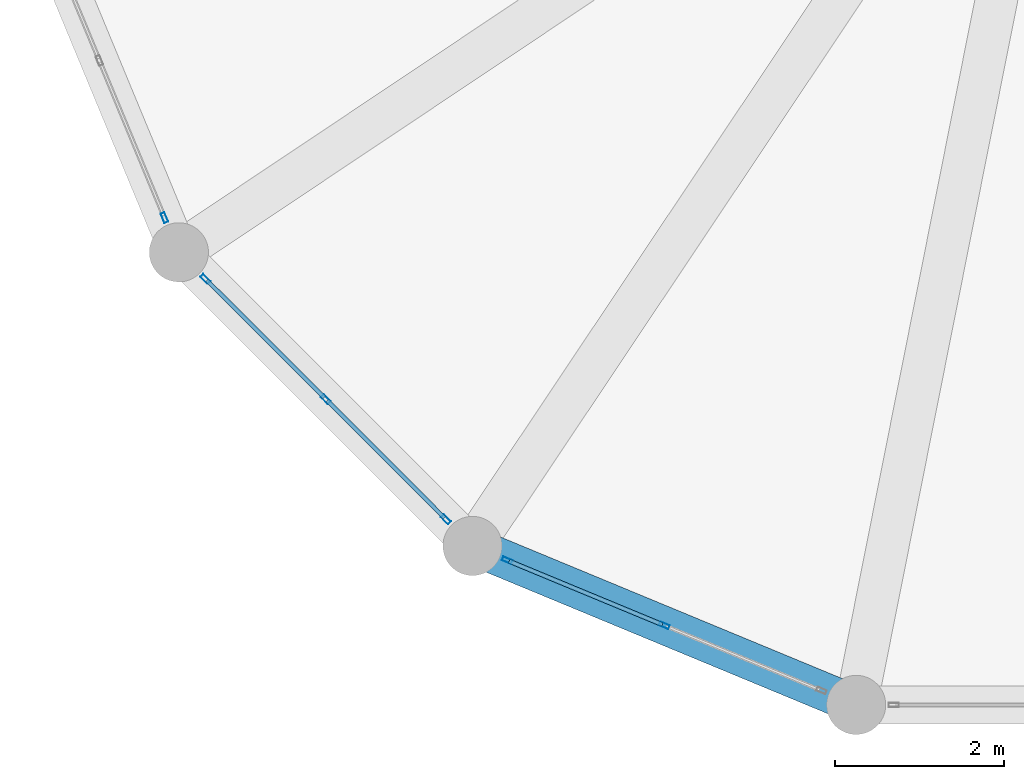
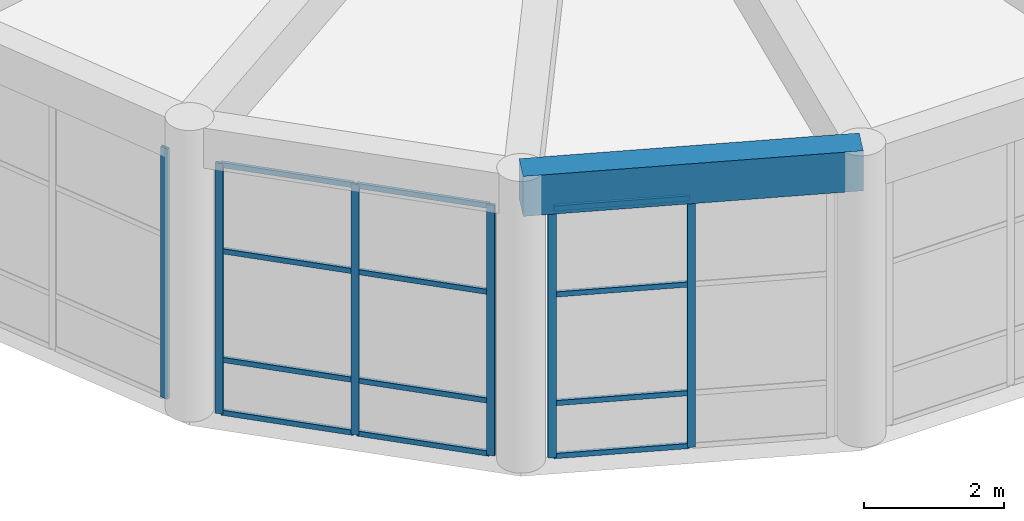
# One storey, part 3 of 96: 18 members, 1 beam, 3 elements without a shape of their own.
"""IFC4 building model written with IfcOpenShell, lengths in metres."""

import ifcopenshell
import ifcopenshell.guid

model = None  # the IFC model being written
_history = None  # IfcOwnerHistory: only IFC2X3 demands one
_inside = {}  # id of a spatial element -> (the spatial element, [elements in it])
_under = {}  # id of a project, library or spatial element -> (it, [spatial elements below it])
_declared = {}  # id of a project -> (the project, [libraries it declares])
_typed = {}  # id of a type object -> (the type object, [elements of that type])
_made_of = {}  # id of a material, layer set ... -> (it, [elements and type objects made of it])


def new_model(schema):
    """Start an empty IFC model of exactly this schema.

    Asked for "IFC4X3", IfcOpenShell would pick the latest addendum, in which some entities
    have other attributes; the version numbers below select the first issue.
    IFC2X3 requires an IfcOwnerHistory on every rooted entity: one is made here for all.
    """
    global model, _history
    if schema == "IFC4X3":
        model = ifcopenshell.file(schema_version=(4, 3, 0, 0))
    else:
        model = ifcopenshell.file(schema=schema)
    _inside.clear()
    _under.clear()
    _declared.clear()
    _typed.clear()
    _made_of.clear()
    _history = None
    if model.schema == "IFC2X3":
        org = make("IfcOrganization", Name="unknown")
        user = make(
            "IfcPersonAndOrganization",
            ThePerson=make("IfcPerson", FamilyName="unknown"),
            TheOrganization=org,
        )
        app = make(
            "IfcApplication",
            ApplicationDeveloper=org,
            Version="unknown",
            ApplicationFullName="unknown",
            ApplicationIdentifier="unknown",
        )
        _history = make(
            "IfcOwnerHistory",
            OwningUser=user,
            OwningApplication=app,
            ChangeAction="ADDED",
            CreationDate=0,
        )
    return model


def make(cls, **values):
    """One entity of the class cls with the attributes given. An attribute that is None is left unset."""
    return model.create_entity(
        cls, **{name: value for name, value in values.items() if value is not None}
    )


def rooted(cls, **values):
    """An entity with a GlobalId (a new one), such as an element, a storey or a relation."""
    return make(cls, GlobalId=ifcopenshell.guid.new(), OwnerHistory=_history, **values)


def si_unit(unit_type, name, prefix=None):
    """IfcSIUnit, for example si_unit("LENGTHUNIT", "METRE", prefix="MILLI")."""
    return make("IfcSIUnit", UnitType=unit_type, Prefix=prefix, Name=name)


def assignment(units):
    """IfcUnitAssignment: the units of a project."""
    return None if units is None else make("IfcUnitAssignment", Units=units)


def point(xyz):
    """IfcCartesianPoint."""
    return None if xyz is None else make("IfcCartesianPoint", Coordinates=xyz)


def direction(xyz):
    """IfcDirection."""
    return None if xyz is None else make("IfcDirection", DirectionRatios=xyz)


def frame(location, z_axis=None, x_axis=None):
    """IfcAxis2Placement3D, a coordinate frame: its origin and axes. An axis left out is left unset."""
    return make(
        "IfcAxis2Placement3D",
        Location=point(location),
        Axis=direction(z_axis),
        RefDirection=direction(x_axis),
    )


def frame_2d(location, x_axis=None):
    """IfcAxis2Placement2D, a coordinate frame in the plane: its origin and x axis."""
    return make(
        "IfcAxis2Placement2D", Location=point(location), RefDirection=direction(x_axis)
    )


def origin():
    """The frame at (0, 0, 0) with its axes left unset."""
    return frame((0.0, 0.0, 0.0))


def origin_2d():
    """The frame at (0, 0) in the plane with its x axis left unset."""
    return frame_2d((0.0, 0.0))


def place(relative_to, where):
    """IfcLocalPlacement: puts the frame where relative to a parent placement (None: the world)."""
    return make(
        "IfcLocalPlacement", PlacementRelTo=relative_to, RelativePlacement=where
    )


def context(
    kind, dimensions, precision=None, world=None, true_north=None, identifier=None
):
    """IfcGeometricRepresentationContext, for example the 3D "Model" context."""
    return make(
        "IfcGeometricRepresentationContext",
        ContextIdentifier=identifier,
        ContextType=kind,
        CoordinateSpaceDimension=dimensions,
        Precision=precision,
        WorldCoordinateSystem=world,
        TrueNorth=true_north,
    )


def subcontext(parent, identifier, kind, view, scale=None):
    """IfcGeometricRepresentationSubContext, for example "Body" below "Model"."""
    return make(
        "IfcGeometricRepresentationSubContext",
        ContextIdentifier=identifier,
        ContextType=kind,
        ParentContext=parent,
        TargetScale=scale,
        TargetView=view,
    )


def project(units=None, contexts=None):
    """IfcProject with its units and contexts."""
    return rooted(
        "IfcProject",
        Name="project",
        RepresentationContexts=contexts,
        UnitsInContext=assignment(units),
    )


def spatial(cls, under=None, at=None, **own):
    """A site, building, storey or space (cls), placed at a placement, below another one or the project."""
    s = rooted(cls, ObjectPlacement=at, **own)
    if under is not None:
        _under.setdefault(under.id(), (under, []))[1].append(s)
    return s


def profile(cls, at=None, kind="AREA", **sizes):
    """A parametric profile (cls). Its sizes go by their IFC names, for example OverallWidth=200.0."""
    return make(cls, ProfileType=kind, Position=at, **sizes)


def rectangle(**sizes):
    """IfcRectangleProfileDef."""
    return profile("IfcRectangleProfileDef", **sizes)


def hollow_rectangle(**sizes):
    """IfcRectangleHollowProfileDef."""
    return profile("IfcRectangleHollowProfileDef", **sizes)


def extrude(swept, where, along, depth):
    """IfcExtrudedAreaSolid: the profile swept, set in the frame where, extruded along a direction by depth."""
    return make(
        "IfcExtrudedAreaSolid",
        SweptArea=swept,
        Position=where,
        ExtrudedDirection=direction(along),
        Depth=depth,
    )


def shape(context_of_items, identifier, shape_type, items):
    """IfcShapeRepresentation: the items that make up one representation, for example the "Body"."""
    return make(
        "IfcShapeRepresentation",
        ContextOfItems=context_of_items,
        RepresentationIdentifier=identifier,
        RepresentationType=shape_type,
        Items=items,
    )


def material(Name=None, Category=None):
    """IfcMaterial."""
    return make("IfcMaterial", Name=Name, Category=Category)


def material_profile(
    of_material, cross_section, Name=None, Category=None, Priority=None
):
    """IfcMaterialProfile: a cross section and its material."""
    return make(
        "IfcMaterialProfile",
        Name=Name,
        Material=of_material,
        Profile=cross_section,
        Priority=Priority,
        Category=Category,
    )


def profile_set(profiles, Name=None, composite=None):
    """IfcMaterialProfileSet."""
    return make(
        "IfcMaterialProfileSet",
        Name=Name,
        MaterialProfiles=profiles,
        CompositeProfile=composite,
    )


def made_of(thing, what):
    """Note that an element or type object is made of a material, layer set ...; save() writes the relation."""
    if what is not None:
        _made_of.setdefault(what.id(), (what, []))[1].append(thing)
    return thing


def type_object(cls, material=None, **own):
    """A type object (cls), such as IfcWallType, which elements share."""
    return made_of(rooted(cls, **own), material)


def element(
    cls,
    number,
    at=None,
    inside=None,
    cuts=None,
    type_object=None,
    material=None,
    context=None,
    identifier="Body",
    shape_type=None,
    held_by="IfcProductDefinitionShape",
    body=None,
    shapes=None,
    **own,
):
    """One element of the class cls, such as IfcWall. Its Tag is "e" and its number.

    at: its placement. inside: the storey or other place that contains it. cuts: it is an
    opening in that element (IfcRelVoidsElement). A single representation is given by context,
    identifier, shape_type and body (its items); several are given by shapes. held_by: the class
    of the entity that holds the representations. save() writes the other relations.
    """
    e = rooted(cls, Tag="e%d" % number, ObjectPlacement=at, **own)
    if body is not None:
        shapes = [shape(context, identifier, shape_type, body)]
    if shapes is not None:
        e.Representation = make(held_by, Representations=shapes)
    if inside is not None:
        _inside.setdefault(inside.id(), (inside, []))[1].append(e)
    if cuts is not None:
        rooted(
            "IfcRelVoidsElement", RelatingBuildingElement=cuts, RelatedOpeningElement=e
        )
    if type_object is not None:
        _typed.setdefault(type_object.id(), (type_object, []))[1].append(e)
    return made_of(e, material)


def aggregate(whole, parts):
    """IfcRelAggregates: a whole, such as a stair, and the parts it consists of."""
    return rooted("IfcRelAggregates", RelatingObject=whole, RelatedObjects=parts)


def save(model, path):
    """Write the relations noted so far, then the file.

    IfcRelAggregates (storeys below a building ...), IfcRelContainedInSpatialStructure (elements
    in a storey), IfcRelDefinesByType, IfcRelAssociatesMaterial and IfcRelDeclares: one each for
    every whole, place, type object, material and project.
    """
    for whole, parts in _under.values():
        aggregate(whole, parts)
    for where, things in _inside.values():
        rooted(
            "IfcRelContainedInSpatialStructure",
            RelatedElements=things,
            RelatingStructure=where,
        )
    for kind, things in _typed.values():
        rooted("IfcRelDefinesByType", RelatedObjects=things, RelatingType=kind)
    for what, things in _made_of.values():
        rooted("IfcRelAssociatesMaterial", RelatedObjects=things, RelatingMaterial=what)
    for by, libraries in _declared.values():
        rooted("IfcRelDeclares", RelatingContext=by, RelatedDefinitions=libraries)
    model.write(path)


model = new_model("IFC4")

# Units and contexts
model_context = context("Model", 3, precision=1e-05, world=origin(), true_north=direction((0.0, 1.0)))
body_context = subcontext(model_context, "Body", "Model", "MODEL_VIEW")
ifc_project = project(units=[si_unit("LENGTHUNIT", "METRE"), si_unit("AREAUNIT", "SQUARE_METRE"), si_unit("VOLUMEUNIT", "CUBIC_METRE"), si_unit("PLANEANGLEUNIT", "RADIAN"), si_unit("MASSUNIT", "GRAM", prefix="KILO")], contexts=[model_context])

# Site, building, storey
site_placement = place(None, origin())
site = spatial("IfcSite", under=ifc_project, at=site_placement, CompositionType="ELEMENT")
building_placement = place(site_placement, origin())
building = spatial("IfcBuilding", under=site, at=building_placement, Name="Almacenes y Pasaje Nevantli", CompositionType="ELEMENT")
storey_placement = place(building_placement, frame((0.0, 0.0, 6.0)))
storey = spatial("IfcBuildingStorey", under=building, at=storey_placement, Name="L02", CompositionType="ELEMENT", Elevation=6.0)

# Beam
ifc_material_1 = material(Name="Concrete C35/45", Category="concrete")
ifc_material_profile_1 = material_profile(ifc_material_1, rectangle(XDim=0.449951171875, YDim=0.699951171875, at=origin_2d()), Name="RC-BM-450x700")
ifc_profile_set_1 = profile_set([ifc_material_profile_1], Name="Concrete C35/45")
beam_type = type_object("IfcBeamType", Name="BM-RC-450x700", PredefinedType="SPANDREL", material=ifc_profile_set_1)
beam_placement = place(storey_placement, frame((1.39990234375, -2.076416015625, 4.75), z_axis=(0.923862485532, -0.38272458482, 0.0), x_axis=(0.38272458482, 0.923862485532, 0.0)))
element("IfcBeam", 1, at=beam_placement, inside=storey, type_object=beam_type, Name="L02 Rotunda Ring Spandrel Beam #11", PredefinedType="SPANDREL", context=body_context, shape_type="SweptSolid", body=[
    extrude(rectangle(XDim=0.449951171875, YDim=0.699951171875, at=origin_2d()), origin(), (0.0, 0.0, 1.0), 4.916259765625),
])

# Curtain wall, member
ifc_material_2 = material(Name="Thermally Broken Aluminium and Low-E Glass", Category="aluminium")
curtain_wall_type = type_object("IfcCurtainWallType", Name="CW-UNIT-ROTUNDA", PredefinedType="USERDEFINED", material=ifc_material_2)
curtain_wall_1_placement = place(storey_placement, origin())
curtain_wall_1 = element("IfcCurtainWall", 2, at=curtain_wall_1_placement, inside=storey, type_object=curtain_wall_type, Name="L02 Corner Rotunda Faceted Curtain Wall Facet #9", ObjectType="UNITIZED CURTAIN WALL", PredefinedType="USERDEFINED")
ifc_material_3 = material(Name="Thermally Broken Anodized Aluminium", Category="aluminium")
ifc_material_profile_2 = material_profile(ifc_material_3, hollow_rectangle(XDim=0.050048828125, YDim=0.1201171875, WallThickness=0.003173828125, at=origin_2d()), Name="ALU-MUL-50x120")
ifc_profile_set_2 = profile_set([ifc_material_profile_2], Name="Thermally Broken Anodized Aluminium")
member_type_1 = type_object("IfcMemberType", Name="CW-MUL-140", PredefinedType="MULLION", material=ifc_profile_set_2)
member_1_placement = place(storey_placement, frame((-2.246826171875, 1.810791015625, 0.0), z_axis=(0.0, 0.0, 1.0), x_axis=(0.923873311502, 0.382698450865, 0.0)))
member_1 = element("IfcMember", 3, at=member_1_placement, type_object=member_type_1, Name="CW-L02-028 mullion 3", PredefinedType="MULLION", context=body_context, shape_type="SweptSolid", body=[
    extrude(hollow_rectangle(XDim=0.050048828125, YDim=0.1201171875, WallThickness=0.003173828125, at=origin_2d()), origin(), (0.0, 0.0, 1.0), 4.3798828125),
])
aggregate(curtain_wall_1, [member_1])

# Curtain wall, members
curtain_wall_2_placement = place(storey_placement, origin())
curtain_wall_2 = element("IfcCurtainWall", 4, at=curtain_wall_2_placement, inside=storey, type_object=curtain_wall_type, Name="L02 Corner Rotunda Faceted Curtain Wall Facet #10", ObjectType="UNITIZED CURTAIN WALL", PredefinedType="USERDEFINED")
member_2_placement = place(storey_placement, frame((-1.76171875, 1.085205078125, 0.0), z_axis=(0.0, 0.0, 1.0), x_axis=(0.707106781187, 0.707106781187, 0.0)))
member_2 = element("IfcMember", 5, at=member_2_placement, type_object=member_type_1, Name="CW-L02-029 mullion 1", PredefinedType="MULLION", context=body_context, shape_type="SweptSolid", body=[
    extrude(hollow_rectangle(XDim=0.050048828125, YDim=0.1201171875, WallThickness=0.003173828125, at=origin_2d()), origin(), (0.0, 0.0, 1.0), 4.3798828125),
])
member_3_placement = place(storey_placement, frame((-0.33837890625, -0.33837890625, 0.0), z_axis=(0.0, 0.0, 1.0), x_axis=(0.707106781187, 0.707106781187, 0.0)))
member_3 = element("IfcMember", 6, at=member_3_placement, type_object=member_type_1, Name="CW-L02-029 mullion 2", PredefinedType="MULLION", context=body_context, shape_type="SweptSolid", body=[
    extrude(hollow_rectangle(XDim=0.050048828125, YDim=0.1201171875, WallThickness=0.003173828125, at=origin_2d()), origin(), (0.0, 0.0, 1.0), 4.3798828125),
])
member_4_placement = place(storey_placement, frame((1.085205078125, -1.76171875, 0.0), z_axis=(0.0, 0.0, 1.0), x_axis=(0.707106781187, 0.707106781187, 0.0)))
member_4 = element("IfcMember", 7, at=member_4_placement, type_object=member_type_1, Name="CW-L02-029 mullion 3", PredefinedType="MULLION", context=body_context, shape_type="SweptSolid", body=[
    extrude(hollow_rectangle(XDim=0.050048828125, YDim=0.1201171875, WallThickness=0.003173828125, at=origin_2d()), origin(), (0.0, 0.0, 1.0), 4.3798828125),
])

curtain_wall_3_placement = place(storey_placement, origin())
curtain_wall_3 = element("IfcCurtainWall", 8, at=curtain_wall_3_placement, inside=storey, type_object=curtain_wall_type, Name="L02 Corner Rotunda Faceted Curtain Wall Facet #11", ObjectType="UNITIZED CURTAIN WALL", PredefinedType="USERDEFINED")
member_5_placement = place(storey_placement, frame((1.810791015625, -2.246826171875, 0.0), z_axis=(0.0, 0.0, 1.0), x_axis=(0.382698450865, 0.923873311502, 0.0)))
member_5 = element("IfcMember", 9, at=member_5_placement, type_object=member_type_1, Name="CW-L02-030 mullion 1", PredefinedType="MULLION", context=body_context, shape_type="SweptSolid", body=[
    extrude(hollow_rectangle(XDim=0.050048828125, YDim=0.1201171875, WallThickness=0.003173828125, at=origin_2d()), origin(), (0.0, 0.0, 1.0), 4.3798828125),
])
member_6_placement = place(storey_placement, frame((3.6708984375, -3.01708984375, 0.0), z_axis=(0.0, 0.0, 1.0), x_axis=(0.382698450865, 0.923873311502, 0.0)))
member_6 = element("IfcMember", 10, at=member_6_placement, type_object=member_type_1, Name="CW-L02-030 mullion 2", PredefinedType="MULLION", context=body_context, shape_type="SweptSolid", body=[
    extrude(hollow_rectangle(XDim=0.050048828125, YDim=0.1201171875, WallThickness=0.003173828125, at=origin_2d()), origin(), (0.0, 0.0, 1.0), 4.3798828125),
])

# Member
ifc_material_4 = material(Name="Thermally Broken Anodized Aluminium", Category="aluminium")
ifc_material_profile_3 = material_profile(ifc_material_4, hollow_rectangle(XDim=0.050048828125, YDim=0.090087890625, WallThickness=0.0029296875, at=origin_2d()), Name="ALU-TRN-50x90")
ifc_profile_set_3 = profile_set([ifc_material_profile_3], Name="Thermally Broken Anodized Aluminium")
member_type_2 = type_object("IfcMemberType", Name="CW-TRN-100", PredefinedType="USERDEFINED", material=ifc_profile_set_3)
member_7_placement = place(storey_placement, frame((-1.744140625, 1.0673828125, 0.02490234375), z_axis=(0.707168963553, -0.707044593352, 0.0), x_axis=(0.707044593352, 0.707168963553, 0.0)))
member_7 = element("IfcMember", 11, at=member_7_placement, type_object=member_type_2, Name="CW-L02-029 transom 1.1", ObjectType="TRANSOM", PredefinedType="USERDEFINED", context=body_context, shape_type="SweptSolid", body=[
    extrude(hollow_rectangle(XDim=0.050048828125, YDim=0.090087890625, WallThickness=0.0029296875, at=origin_2d()), origin(), (0.0, 0.0, 1.0), 1.963134765625),
])

member_8_placement = place(storey_placement, frame((-1.744140625, 1.0673828125, 0.949951171875), z_axis=(0.707168963553, -0.707044593352, 0.0), x_axis=(0.707044593352, 0.707168963553, 0.0)))
member_8 = element("IfcMember", 12, at=member_8_placement, type_object=member_type_2, Name="CW-L02-029 transom 1.2", ObjectType="TRANSOM", PredefinedType="USERDEFINED", context=body_context, shape_type="SweptSolid", body=[
    extrude(hollow_rectangle(XDim=0.050048828125, YDim=0.090087890625, WallThickness=0.0029296875, at=origin_2d()), origin(), (0.0, 0.0, 1.0), 1.963134765625),
])

member_9_placement = place(storey_placement, frame((-1.744140625, 1.0673828125, 2.85009765625), z_axis=(0.707168963553, -0.707044593352, 0.0), x_axis=(0.707044593352, 0.707168963553, 0.0)))
member_9 = element("IfcMember", 13, at=member_9_placement, type_object=member_type_2, Name="CW-L02-029 transom 1.3", ObjectType="TRANSOM", PredefinedType="USERDEFINED", context=body_context, shape_type="SweptSolid", body=[
    extrude(hollow_rectangle(XDim=0.050048828125, YDim=0.090087890625, WallThickness=0.0029296875, at=origin_2d()), origin(), (0.0, 0.0, 1.0), 1.963134765625),
])

member_10_placement = place(storey_placement, frame((-1.744140625, 1.0673828125, 4.35498046875), z_axis=(0.707168963553, -0.707044593352, 0.0), x_axis=(0.707044593352, 0.707168963553, 0.0)))
member_10 = element("IfcMember", 14, at=member_10_placement, type_object=member_type_2, Name="CW-L02-029 transom 1.4", ObjectType="TRANSOM", PredefinedType="USERDEFINED", context=body_context, shape_type="SweptSolid", body=[
    extrude(hollow_rectangle(XDim=0.050048828125, YDim=0.090087890625, WallThickness=0.0029296875, at=origin_2d()), origin(), (0.0, 0.0, 1.0), 1.963134765625),
])

member_11_placement = place(storey_placement, frame((-0.320556640625, -0.35595703125, 0.02490234375), z_axis=(0.707044593352, -0.707168963553, 0.0), x_axis=(0.707168963553, 0.707044593352, 0.0)))
member_11 = element("IfcMember", 15, at=member_11_placement, type_object=member_type_2, Name="CW-L02-029 transom 2.1", ObjectType="TRANSOM", PredefinedType="USERDEFINED", context=body_context, shape_type="SweptSolid", body=[
    extrude(hollow_rectangle(XDim=0.050048828125, YDim=0.090087890625, WallThickness=0.0029296875, at=origin_2d()), origin(), (0.0, 0.0, 1.0), 1.963134765625),
])

member_12_placement = place(storey_placement, frame((-0.320556640625, -0.35595703125, 0.949951171875), z_axis=(0.707044593352, -0.707168963553, 0.0), x_axis=(0.707168963553, 0.707044593352, 0.0)))
member_12 = element("IfcMember", 16, at=member_12_placement, type_object=member_type_2, Name="CW-L02-029 transom 2.2", ObjectType="TRANSOM", PredefinedType="USERDEFINED", context=body_context, shape_type="SweptSolid", body=[
    extrude(hollow_rectangle(XDim=0.050048828125, YDim=0.090087890625, WallThickness=0.0029296875, at=origin_2d()), origin(), (0.0, 0.0, 1.0), 1.963134765625),
])

member_13_placement = place(storey_placement, frame((-0.320556640625, -0.35595703125, 2.85009765625), z_axis=(0.707044593352, -0.707168963553, 0.0), x_axis=(0.707168963553, 0.707044593352, 0.0)))
member_13 = element("IfcMember", 17, at=member_13_placement, type_object=member_type_2, Name="CW-L02-029 transom 2.3", ObjectType="TRANSOM", PredefinedType="USERDEFINED", context=body_context, shape_type="SweptSolid", body=[
    extrude(hollow_rectangle(XDim=0.050048828125, YDim=0.090087890625, WallThickness=0.0029296875, at=origin_2d()), origin(), (0.0, 0.0, 1.0), 1.963134765625),
])

member_14_placement = place(storey_placement, frame((-0.320556640625, -0.35595703125, 4.35498046875), z_axis=(0.707044593352, -0.707168963553, 0.0), x_axis=(0.707168963553, 0.707044593352, 0.0)))
member_14 = element("IfcMember", 18, at=member_14_placement, type_object=member_type_2, Name="CW-L02-029 transom 2.4", ObjectType="TRANSOM", PredefinedType="USERDEFINED", context=body_context, shape_type="SweptSolid", body=[
    extrude(hollow_rectangle(XDim=0.050048828125, YDim=0.090087890625, WallThickness=0.0029296875, at=origin_2d()), origin(), (0.0, 0.0, 1.0), 1.963134765625),
])

aggregate(curtain_wall_2, [member_2, member_3, member_4, member_7, member_8, member_9, member_10, member_11, member_12, member_13, member_14])

member_15_placement = place(storey_placement, frame((1.833984375, -2.25634765625, 0.02490234375), z_axis=(0.923887998679, -0.382662992588, 0.0), x_axis=(0.382662992588, 0.923887998679, 0.0)))
member_15 = element("IfcMember", 19, at=member_15_placement, type_object=member_type_2, Name="CW-L02-030 transom 1.1", ObjectType="TRANSOM", PredefinedType="USERDEFINED", context=body_context, shape_type="SweptSolid", body=[
    extrude(hollow_rectangle(XDim=0.050048828125, YDim=0.090087890625, WallThickness=0.0029296875, at=origin_2d()), origin(), (0.0, 0.0, 1.0), 1.963134765625),
])

member_16_placement = place(storey_placement, frame((1.833984375, -2.25634765625, 0.949951171875), z_axis=(0.923887998679, -0.382662992588, 0.0), x_axis=(0.382662992588, 0.923887998679, 0.0)))
member_16 = element("IfcMember", 20, at=member_16_placement, type_object=member_type_2, Name="CW-L02-030 transom 1.2", ObjectType="TRANSOM", PredefinedType="USERDEFINED", context=body_context, shape_type="SweptSolid", body=[
    extrude(hollow_rectangle(XDim=0.050048828125, YDim=0.090087890625, WallThickness=0.0029296875, at=origin_2d()), origin(), (0.0, 0.0, 1.0), 1.963134765625),
])

member_17_placement = place(storey_placement, frame((1.833984375, -2.25634765625, 2.85009765625), z_axis=(0.923887998679, -0.382662992588, 0.0), x_axis=(0.382662992588, 0.923887998679, 0.0)))
member_17 = element("IfcMember", 21, at=member_17_placement, type_object=member_type_2, Name="CW-L02-030 transom 1.3", ObjectType="TRANSOM", PredefinedType="USERDEFINED", context=body_context, shape_type="SweptSolid", body=[
    extrude(hollow_rectangle(XDim=0.050048828125, YDim=0.090087890625, WallThickness=0.0029296875, at=origin_2d()), origin(), (0.0, 0.0, 1.0), 1.963134765625),
])

member_18_placement = place(storey_placement, frame((1.833984375, -2.25634765625, 4.35498046875), z_axis=(0.923887998679, -0.382662992588, 0.0), x_axis=(0.382662992588, 0.923887998679, 0.0)))
member_18 = element("IfcMember", 22, at=member_18_placement, type_object=member_type_2, Name="CW-L02-030 transom 1.4", ObjectType="TRANSOM", PredefinedType="USERDEFINED", context=body_context, shape_type="SweptSolid", body=[
    extrude(hollow_rectangle(XDim=0.050048828125, YDim=0.090087890625, WallThickness=0.0029296875, at=origin_2d()), origin(), (0.0, 0.0, 1.0), 1.963134765625),
])

aggregate(curtain_wall_3, [member_5, member_6, member_15, member_16, member_17, member_18])

save(model, "model.ifc")
